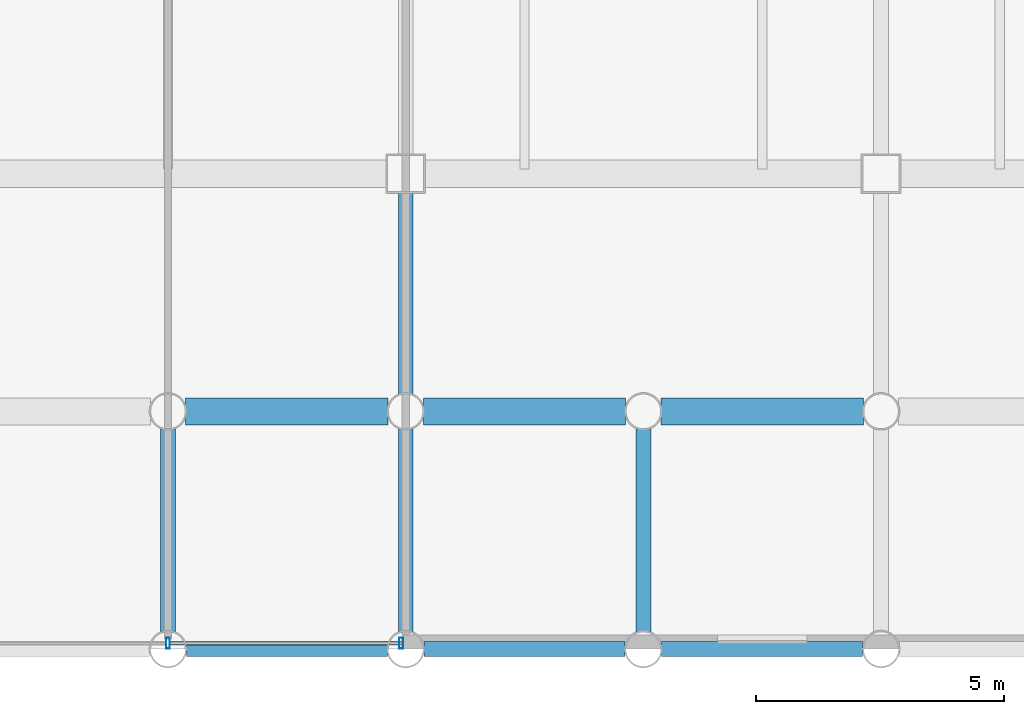
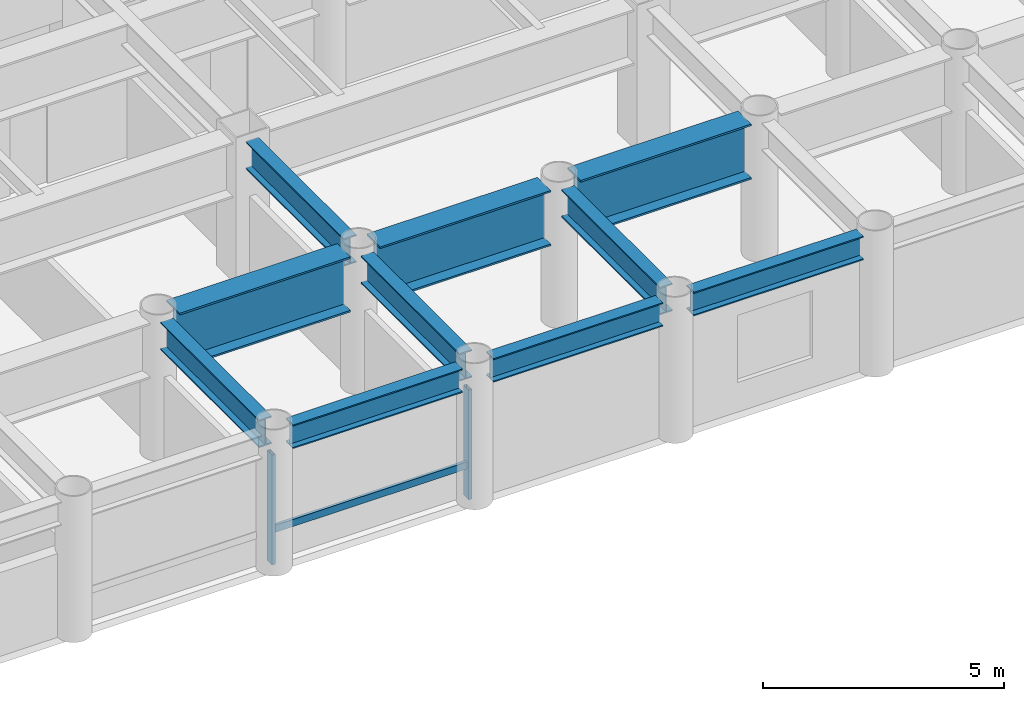
# One storey, part 8 of 26: 10 beams, 3 members, 1 element without a shape of its own.
"""IFC4 building model written with IfcOpenShell, lengths in metres."""

import ifcopenshell
import ifcopenshell.guid

model = None  # the IFC model being written
_history = None  # IfcOwnerHistory: only IFC2X3 demands one
_inside = {}  # id of a spatial element -> (the spatial element, [elements in it])
_under = {}  # id of a project, library or spatial element -> (it, [spatial elements below it])
_declared = {}  # id of a project -> (the project, [libraries it declares])
_typed = {}  # id of a type object -> (the type object, [elements of that type])
_made_of = {}  # id of a material, layer set ... -> (it, [elements and type objects made of it])


def new_model(schema):
    """Start an empty IFC model of exactly this schema.

    Asked for "IFC4X3", IfcOpenShell would pick the latest addendum, in which some entities
    have other attributes; the version numbers below select the first issue.
    IFC2X3 requires an IfcOwnerHistory on every rooted entity: one is made here for all.
    """
    global model, _history
    if schema == "IFC4X3":
        model = ifcopenshell.file(schema_version=(4, 3, 0, 0))
    else:
        model = ifcopenshell.file(schema=schema)
    _inside.clear()
    _under.clear()
    _declared.clear()
    _typed.clear()
    _made_of.clear()
    _history = None
    if model.schema == "IFC2X3":
        org = make("IfcOrganization", Name="unknown")
        user = make(
            "IfcPersonAndOrganization",
            ThePerson=make("IfcPerson", FamilyName="unknown"),
            TheOrganization=org,
        )
        app = make(
            "IfcApplication",
            ApplicationDeveloper=org,
            Version="unknown",
            ApplicationFullName="unknown",
            ApplicationIdentifier="unknown",
        )
        _history = make(
            "IfcOwnerHistory",
            OwningUser=user,
            OwningApplication=app,
            ChangeAction="ADDED",
            CreationDate=0,
        )
    return model


def make(cls, **values):
    """One entity of the class cls with the attributes given. An attribute that is None is left unset."""
    return model.create_entity(
        cls, **{name: value for name, value in values.items() if value is not None}
    )


def rooted(cls, **values):
    """An entity with a GlobalId (a new one), such as an element, a storey or a relation."""
    return make(cls, GlobalId=ifcopenshell.guid.new(), OwnerHistory=_history, **values)


def si_unit(unit_type, name, prefix=None):
    """IfcSIUnit, for example si_unit("LENGTHUNIT", "METRE", prefix="MILLI")."""
    return make("IfcSIUnit", UnitType=unit_type, Prefix=prefix, Name=name)


def assignment(units):
    """IfcUnitAssignment: the units of a project."""
    return None if units is None else make("IfcUnitAssignment", Units=units)


def point(xyz):
    """IfcCartesianPoint."""
    return None if xyz is None else make("IfcCartesianPoint", Coordinates=xyz)


def direction(xyz):
    """IfcDirection."""
    return None if xyz is None else make("IfcDirection", DirectionRatios=xyz)


def frame(location, z_axis=None, x_axis=None):
    """IfcAxis2Placement3D, a coordinate frame: its origin and axes. An axis left out is left unset."""
    return make(
        "IfcAxis2Placement3D",
        Location=point(location),
        Axis=direction(z_axis),
        RefDirection=direction(x_axis),
    )


def frame_2d(location, x_axis=None):
    """IfcAxis2Placement2D, a coordinate frame in the plane: its origin and x axis."""
    return make(
        "IfcAxis2Placement2D", Location=point(location), RefDirection=direction(x_axis)
    )


def origin():
    """The frame at (0, 0, 0) with its axes left unset."""
    return frame((0.0, 0.0, 0.0))


def origin_2d():
    """The frame at (0, 0) in the plane with its x axis left unset."""
    return frame_2d((0.0, 0.0))


def place(relative_to, where):
    """IfcLocalPlacement: puts the frame where relative to a parent placement (None: the world)."""
    return make(
        "IfcLocalPlacement", PlacementRelTo=relative_to, RelativePlacement=where
    )


def context(
    kind, dimensions, precision=None, world=None, true_north=None, identifier=None
):
    """IfcGeometricRepresentationContext, for example the 3D "Model" context."""
    return make(
        "IfcGeometricRepresentationContext",
        ContextIdentifier=identifier,
        ContextType=kind,
        CoordinateSpaceDimension=dimensions,
        Precision=precision,
        WorldCoordinateSystem=world,
        TrueNorth=true_north,
    )


def subcontext(parent, identifier, kind, view, scale=None):
    """IfcGeometricRepresentationSubContext, for example "Body" below "Model"."""
    return make(
        "IfcGeometricRepresentationSubContext",
        ContextIdentifier=identifier,
        ContextType=kind,
        ParentContext=parent,
        TargetScale=scale,
        TargetView=view,
    )


def project(units=None, contexts=None):
    """IfcProject with its units and contexts."""
    return rooted(
        "IfcProject",
        Name="project",
        RepresentationContexts=contexts,
        UnitsInContext=assignment(units),
    )


def spatial(cls, under=None, at=None, **own):
    """A site, building, storey or space (cls), placed at a placement, below another one or the project."""
    s = rooted(cls, ObjectPlacement=at, **own)
    if under is not None:
        _under.setdefault(under.id(), (under, []))[1].append(s)
    return s


def profile(cls, at=None, kind="AREA", **sizes):
    """A parametric profile (cls). Its sizes go by their IFC names, for example OverallWidth=200.0."""
    return make(cls, ProfileType=kind, Position=at, **sizes)


def hollow_rectangle(**sizes):
    """IfcRectangleHollowProfileDef."""
    return profile("IfcRectangleHollowProfileDef", **sizes)


def i_section(**sizes):
    """IfcIShapeProfileDef."""
    return profile("IfcIShapeProfileDef", **sizes)


def extrude(swept, where, along, depth):
    """IfcExtrudedAreaSolid: the profile swept, set in the frame where, extruded along a direction by depth."""
    return make(
        "IfcExtrudedAreaSolid",
        SweptArea=swept,
        Position=where,
        ExtrudedDirection=direction(along),
        Depth=depth,
    )


def shape(context_of_items, identifier, shape_type, items):
    """IfcShapeRepresentation: the items that make up one representation, for example the "Body"."""
    return make(
        "IfcShapeRepresentation",
        ContextOfItems=context_of_items,
        RepresentationIdentifier=identifier,
        RepresentationType=shape_type,
        Items=items,
    )


def material(Name=None, Category=None):
    """IfcMaterial."""
    return make("IfcMaterial", Name=Name, Category=Category)


def layer(
    of_material, thickness, ventilated=None, Name=None, Category=None, Priority=None
):
    """IfcMaterialLayer: one layer of a wall or slab, of a material (None: an air gap)."""
    return make(
        "IfcMaterialLayer",
        Material=of_material,
        LayerThickness=thickness,
        IsVentilated=ventilated,
        Name=Name,
        Category=Category,
        Priority=Priority,
    )


def layer_set(layers, Name=None):
    """IfcMaterialLayerSet."""
    return make("IfcMaterialLayerSet", MaterialLayers=layers, LayerSetName=Name)


def material_profile(
    of_material, cross_section, Name=None, Category=None, Priority=None
):
    """IfcMaterialProfile: a cross section and its material."""
    return make(
        "IfcMaterialProfile",
        Name=Name,
        Material=of_material,
        Profile=cross_section,
        Priority=Priority,
        Category=Category,
    )


def profile_set(profiles, Name=None, composite=None):
    """IfcMaterialProfileSet."""
    return make(
        "IfcMaterialProfileSet",
        Name=Name,
        MaterialProfiles=profiles,
        CompositeProfile=composite,
    )


def made_of(thing, what):
    """Note that an element or type object is made of a material, layer set ...; save() writes the relation."""
    if what is not None:
        _made_of.setdefault(what.id(), (what, []))[1].append(thing)
    return thing


def type_object(cls, material=None, **own):
    """A type object (cls), such as IfcWallType, which elements share."""
    return made_of(rooted(cls, **own), material)


def element(
    cls,
    number,
    at=None,
    inside=None,
    cuts=None,
    type_object=None,
    material=None,
    context=None,
    identifier="Body",
    shape_type=None,
    held_by="IfcProductDefinitionShape",
    body=None,
    shapes=None,
    **own,
):
    """One element of the class cls, such as IfcWall. Its Tag is "e" and its number.

    at: its placement. inside: the storey or other place that contains it. cuts: it is an
    opening in that element (IfcRelVoidsElement). A single representation is given by context,
    identifier, shape_type and body (its items); several are given by shapes. held_by: the class
    of the entity that holds the representations. save() writes the other relations.
    """
    e = rooted(cls, Tag="e%d" % number, ObjectPlacement=at, **own)
    if body is not None:
        shapes = [shape(context, identifier, shape_type, body)]
    if shapes is not None:
        e.Representation = make(held_by, Representations=shapes)
    if inside is not None:
        _inside.setdefault(inside.id(), (inside, []))[1].append(e)
    if cuts is not None:
        rooted(
            "IfcRelVoidsElement", RelatingBuildingElement=cuts, RelatedOpeningElement=e
        )
    if type_object is not None:
        _typed.setdefault(type_object.id(), (type_object, []))[1].append(e)
    return made_of(e, material)


def aggregate(whole, parts):
    """IfcRelAggregates: a whole, such as a stair, and the parts it consists of."""
    return rooted("IfcRelAggregates", RelatingObject=whole, RelatedObjects=parts)


def save(model, path):
    """Write the relations noted so far, then the file.

    IfcRelAggregates (storeys below a building ...), IfcRelContainedInSpatialStructure (elements
    in a storey), IfcRelDefinesByType, IfcRelAssociatesMaterial and IfcRelDeclares: one each for
    every whole, place, type object, material and project.
    """
    for whole, parts in _under.values():
        aggregate(whole, parts)
    for where, things in _inside.values():
        rooted(
            "IfcRelContainedInSpatialStructure",
            RelatedElements=things,
            RelatingStructure=where,
        )
    for kind, things in _typed.values():
        rooted("IfcRelDefinesByType", RelatedObjects=things, RelatingType=kind)
    for what, things in _made_of.values():
        rooted("IfcRelAssociatesMaterial", RelatedObjects=things, RelatingMaterial=what)
    for by, libraries in _declared.values():
        rooted("IfcRelDeclares", RelatingContext=by, RelatedDefinitions=libraries)
    model.write(path)


model = new_model("IFC4")

# Units and contexts
model_context = context("Model", 3, precision=1e-05, world=origin(), true_north=direction((0.0, 1.0)))
body_context = subcontext(model_context, "Body", "Model", "MODEL_VIEW")
ifc_project = project(units=[si_unit("LENGTHUNIT", "METRE"), si_unit("AREAUNIT", "SQUARE_METRE"), si_unit("VOLUMEUNIT", "CUBIC_METRE"), si_unit("PLANEANGLEUNIT", "RADIAN"), si_unit("MASSUNIT", "GRAM", prefix="KILO")], contexts=[model_context])

# Site, building, storey
site_placement = place(None, origin())
site = spatial("IfcSite", under=ifc_project, at=site_placement, CompositionType="ELEMENT")
building_placement = place(site_placement, origin())
building = spatial("IfcBuilding", under=site, at=building_placement, Name="Kallvorn Hotel Tower", CompositionType="ELEMENT")
storey_placement = place(building_placement, frame((0.0, 0.0, 55.89990234375)))
storey = spatial("IfcBuildingStorey", under=building, at=storey_placement, Name="L12", CompositionType="ELEMENT", Elevation=55.89990234375)

# Beams
ifc_material_1 = material(Name="Structural steel S355JR", Category="steel")
ifc_material_profile_1 = material_profile(ifc_material_1, i_section(OverallWidth=0.300048828125, OverallDepth=0.60009765625, WebThickness=0.015380859375, FlangeThickness=0.030029296875, at=origin_2d()), Name="HE 600 B")
ifc_profile_set_1 = profile_set([ifc_material_profile_1], Name="Structural steel S355JR")
beam_type_1 = type_object("IfcBeamType", Name="BM_HE600B", PredefinedType="SPANDREL", material=ifc_profile_set_1)
beam_1_placement = place(storey_placement, frame((0.37109375, -24.0, 3.22021484375), z_axis=(1.0, 0.0, 0.0), x_axis=(0.0, 1.0, 0.0)))
element("IfcBeam", 1, at=beam_1_placement, inside=storey, type_object=beam_type_1, Name="L13 Perimeter Spandrel 165", PredefinedType="SPANDREL", context=body_context, shape_type="SweptSolid", body=[
    extrude(i_section(OverallWidth=0.300048828125, OverallDepth=0.60009765625, WebThickness=0.015380859375, FlangeThickness=0.030029296875, at=origin_2d()), origin(), (0.0, 0.0, 1.0), 4.057861328125),
])
for number, where, z_axis, x_axis, name in (
    (2, (5.1708984375, -24.0, 3.22021484375), (1.0, 0.0, 0.0), (0.0, 1.0, 0.0), "L13 Perimeter Spandrel 166"),
    (3, (9.970947265625, -24.0, 3.22021484375), (1.0, 0.0, 0.0), (0.0, 1.0, 0.0), "L13 Perimeter Spandrel 167"),
):
    element("IfcBeam", number, at=place(storey_placement, frame(where, z_axis=z_axis, x_axis=x_axis)), inside=storey, type_object=beam_type_1, Name=name, PredefinedType="SPANDREL", context=body_context, shape_type="SweptSolid", body=[
        extrude(i_section(OverallWidth=0.300048828125, OverallDepth=0.60009765625, WebThickness=0.015380859375, FlangeThickness=0.030029296875, at=origin_2d()), origin(), (0.0, 0.0, 1.0), 4.05810546875),
    ])
ifc_material_2 = material(Name="Structural steel S355JR", Category="steel")
ifc_material_profile_2 = material_profile(ifc_material_2, i_section(OverallWidth=0.300048828125, OverallDepth=0.699951171875, WebThickness=0.01708984375, FlangeThickness=0.031982421875, at=origin_2d()), Name="HE 700 B")
ifc_profile_set_2 = profile_set([ifc_material_profile_2], Name="Structural steel S355JR")
beam_type_2 = type_object("IfcBeamType", Name="BM_HE700B", PredefinedType="BEAM", material=ifc_profile_set_2)
for number, where, z_axis, x_axis, name in (
    (4, (0.0, -23.64404296875, 3.170166015625), (0.0, 1.0, 0.0), (-1.0, 0.0, 0.0), "L13 Primary Y-Girder 120"),
    (5, (4.800048828125, -23.64404296875, 3.170166015625), (0.0, 1.0, 0.0), (-1.0, 0.0, 0.0), "L13 Primary Y-Girder 123"),
):
    element("IfcBeam", number, at=place(storey_placement, frame(where, z_axis=z_axis, x_axis=x_axis)), inside=storey, type_object=beam_type_2, Name=name, PredefinedType="BEAM", context=body_context, shape_type="SweptSolid", body=[
        extrude(i_section(OverallWidth=0.300048828125, OverallDepth=0.699951171875, WebThickness=0.01708984375, FlangeThickness=0.031982421875, at=origin_2d()), origin(), (0.0, 0.0, 1.0), 4.088134765625),
    ])
beam_2_placement = place(storey_placement, frame((4.800048828125, -18.843994140625, 3.170166015625), z_axis=(0.0, 1.0, 0.0), x_axis=(-1.0, 0.0, 0.0)))
element("IfcBeam", 6, at=beam_2_placement, inside=storey, type_object=beam_type_2, Name="L13 Primary Y-Girder 124", PredefinedType="BEAM", context=body_context, shape_type="SweptSolid", body=[
    extrude(i_section(OverallWidth=0.300048828125, OverallDepth=0.699951171875, WebThickness=0.01708984375, FlangeThickness=0.031982421875, at=origin_2d()), origin(), (0.0, 0.0, 1.0), 4.069091796875),
])
beam_3_placement = place(storey_placement, frame((9.60009765625, -23.64404296875, 3.170166015625), z_axis=(0.0, 1.0, 0.0), x_axis=(-1.0, 0.0, 0.0)))
element("IfcBeam", 7, at=beam_3_placement, inside=storey, type_object=beam_type_2, Name="L13 Primary Y-Girder 128", PredefinedType="BEAM", context=body_context, shape_type="SweptSolid", body=[
    extrude(i_section(OverallWidth=0.300048828125, OverallDepth=0.699951171875, WebThickness=0.01708984375, FlangeThickness=0.031982421875, at=origin_2d()), origin(), (0.0, 0.0, 1.0), 4.088134765625),
])
ifc_material_3 = material(Name="Structural steel S355JR", Category="steel")
ifc_material_profile_3 = material_profile(ifc_material_3, i_section(OverallWidth=0.550048828125, OverallDepth=1.39990234375, WebThickness=0.02490234375, FlangeThickness=0.044921875, at=origin_2d()), Name="PG 1400x550x25x45")
ifc_profile_set_3 = profile_set([ifc_material_profile_3], Name="Structural steel S355JR")
beam_type_3 = type_object("IfcBeamType", Name="BM_PG_1400", PredefinedType="BEAM", material=ifc_profile_set_3)
beam_4_placement = place(storey_placement, frame((0.35595703125, -19.199951171875, 2.820068359375), z_axis=(1.0, 0.0, 0.0), x_axis=(0.0, 1.0, 0.0)))
element("IfcBeam", 8, at=beam_4_placement, inside=storey, type_object=beam_type_3, Name="L13 Primary X-Girder 17", PredefinedType="BEAM", context=body_context, shape_type="SweptSolid", body=[
    extrude(i_section(OverallWidth=0.550048828125, OverallDepth=1.39990234375, WebThickness=0.02490234375, FlangeThickness=0.044921875, at=origin_2d()), origin(), (0.0, 0.0, 1.0), 4.088134765625),
])
for number, where, z_axis, x_axis, name in (
    (9, (5.156005859375, -19.199951171875, 2.820068359375), (1.0, 0.0, 0.0), (0.0, 1.0, 0.0), "L13 Primary X-Girder 18"),
    (10, (9.9560546875, -19.199951171875, 2.820068359375), (1.0, 0.0, 0.0), (0.0, 1.0, 0.0), "L13 Primary X-Girder 19"),
):
    element("IfcBeam", number, at=place(storey_placement, frame(where, z_axis=z_axis, x_axis=x_axis)), inside=storey, type_object=beam_type_3, Name=name, PredefinedType="BEAM", context=body_context, shape_type="SweptSolid", body=[
        extrude(i_section(OverallWidth=0.550048828125, OverallDepth=1.39990234375, WebThickness=0.02490234375, FlangeThickness=0.044921875, at=origin_2d()), origin(), (0.0, 0.0, 1.0), 4.087890625),
    ])

# Curtain wall, members
ifc_material_4 = material(Name="Thermally broken black-anodised aluminium AA 6063-T6", Category="aluminium")
ifc_layer = layer(ifc_material_4, 0.199951171875)
ifc_layer_set = layer_set([ifc_layer], Name="CW_SYS_3_HOTEL_LOW")
curtain_wall_type = type_object("IfcCurtainWallType", Name="CW_SYS_3_HOTEL_LOW", PredefinedType="USERDEFINED", material=ifc_layer_set)
curtain_wall_placement = place(storey_placement, origin())
curtain_wall = element("IfcCurtainWall", 11, at=curtain_wall_placement, inside=storey, type_object=curtain_wall_type, Name="L12 Dark-Glass Curtain Wall CW-L12-SC", ObjectType="UNITISED CURTAIN WALL", PredefinedType="USERDEFINED")
ifc_material_5 = material(Name="Thermally broken black-anodised aluminium AA 6063-T6", Category="aluminium")
ifc_material_profile_4 = material_profile(ifc_material_5, hollow_rectangle(XDim=0.080078125, YDim=0.219970703125, WallThickness=0.0048828125, at=origin_2d()), Name="MUL 220x80")
ifc_profile_set_4 = profile_set([ifc_material_profile_4], Name="Thermally broken black-anodised aluminium AA 6063-T6")
member_type_1 = type_object("IfcMemberType", Name="CW_MULLION_220x80", PredefinedType="MULLION", material=ifc_profile_set_4)
member_1_placement = place(storey_placement, frame((0.0, -23.8798828125, 0.02001953125), z_axis=(0.0, 0.0, 1.0), x_axis=(1.0, 0.0, 0.0)))
member_1 = element("IfcMember", 12, at=member_1_placement, type_object=member_type_1, Name="CW-L12-SC Mullion 01", PredefinedType="MULLION", context=body_context, shape_type="SweptSolid", body=[
    extrude(hollow_rectangle(XDim=0.080078125, YDim=0.219970703125, WallThickness=0.0048828125, at=origin_2d()), origin(), (0.0, 0.0, 1.0), 2.780029296875),
])
member_2_placement = place(storey_placement, frame((4.7099609375, -23.8798828125, 0.02001953125), z_axis=(0.0, 0.0, 1.0), x_axis=(1.0, 0.0, 0.0)))
member_2 = element("IfcMember", 13, at=member_2_placement, type_object=member_type_1, Name="CW-L12-SC Mullion 02", PredefinedType="MULLION", context=body_context, shape_type="SweptSolid", body=[
    extrude(hollow_rectangle(XDim=0.080078125, YDim=0.219970703125, WallThickness=0.0048828125, at=origin_2d()), origin(), (0.0, 0.0, 1.0), 2.780029296875),
])
ifc_material_6 = material(Name="Thermally broken black-anodised aluminium AA 6063-T6", Category="aluminium")
ifc_material_profile_5 = material_profile(ifc_material_6, hollow_rectangle(XDim=0.070068359375, YDim=0.179931640625, WallThickness=0.00390625, at=origin_2d()), Name="TRN 180x70")
ifc_profile_set_5 = profile_set([ifc_material_profile_5], Name="Thermally broken black-anodised aluminium AA 6063-T6")
member_type_2 = type_object("IfcMemberType", Name="CW_TRANSOM_180x70", PredefinedType="USERDEFINED", material=ifc_profile_set_5)
member_3_placement = place(storey_placement, frame((0.0400390625, -23.8798828125, 0.85009765625), z_axis=(1.0, 0.0, 0.0), x_axis=(0.0, 1.0, 0.0)))
member_3 = element("IfcMember", 14, at=member_3_placement, type_object=member_type_2, Name="CW-L12-SC Transom 01M", ObjectType="TRANSOM", PredefinedType="USERDEFINED", context=body_context, shape_type="SweptSolid", body=[
    extrude(hollow_rectangle(XDim=0.070068359375, YDim=0.179931640625, WallThickness=0.00390625, at=origin_2d()), origin(), (0.0, 0.0, 1.0), 4.669921875),
])
aggregate(curtain_wall, [member_1, member_2, member_3])

save(model, "model.ifc")
